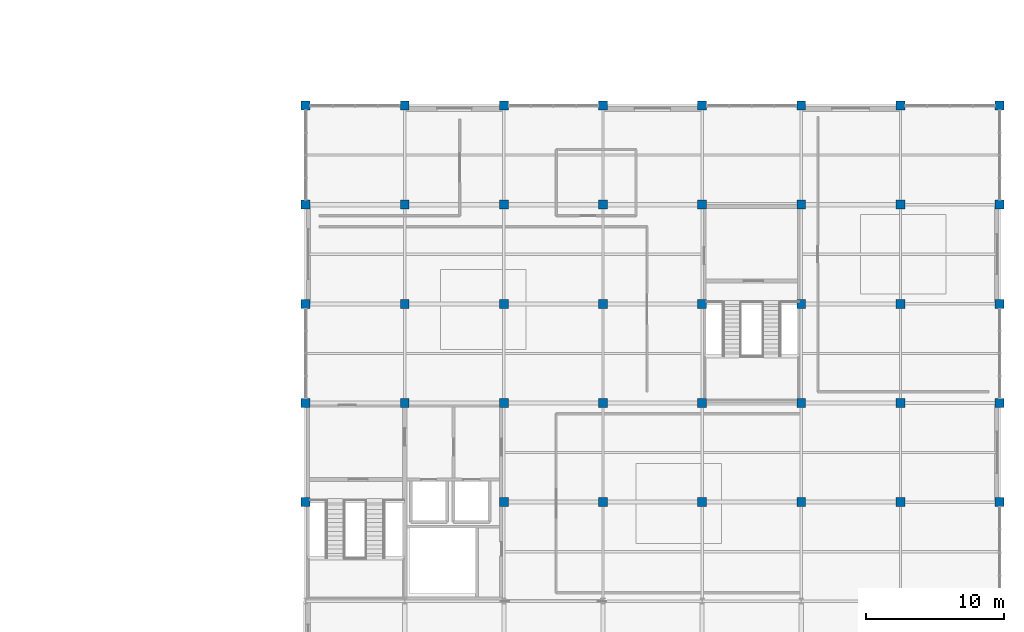
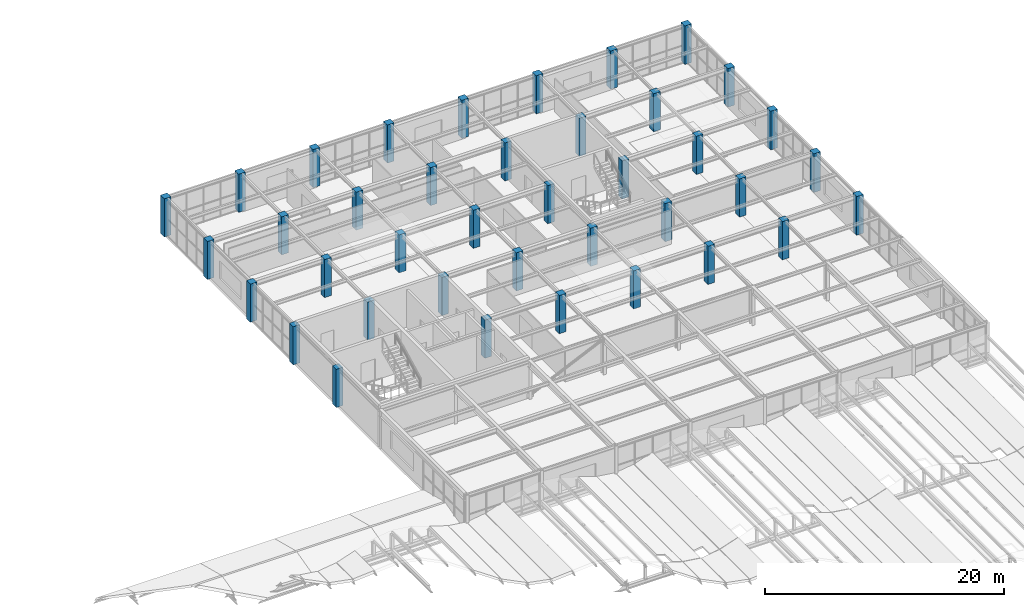
# One storey, part 5 of 83: 39 columns.
"""IFC4 building model written with IfcOpenShell, lengths in metres."""

from ifc_helpers import new_model, si_unit, direction, frame, origin, origin_2d, place, context, subcontext, project, spatial, rectangle, extrude, material, material_profile, profile_set, type_object, element, save


model = new_model("IFC4")

# Units and contexts
model_context = context("Model", 3, precision=1e-05, world=origin(), true_north=direction((0.0, 1.0)))
body_context = subcontext(model_context, "Body", "Model", "MODEL_VIEW")
ifc_project = project(units=[si_unit("LENGTHUNIT", "METRE"), si_unit("AREAUNIT", "SQUARE_METRE"), si_unit("VOLUMEUNIT", "CUBIC_METRE"), si_unit("PLANEANGLEUNIT", "RADIAN"), si_unit("MASSUNIT", "GRAM", prefix="KILO")], contexts=[model_context])

# Site, building, storey
site_placement = place(None, origin())
site = spatial("IfcSite", under=ifc_project, at=site_placement, CompositionType="ELEMENT")
building_placement = place(site_placement, origin())
building = spatial("IfcBuilding", under=site, at=building_placement, Name="Leyfeld Transit Interchange", CompositionType="ELEMENT")
storey_placement = place(building_placement, frame((0.0, 0.0, 5.39990234375)))
storey = spatial("IfcBuildingStorey", under=building, at=storey_placement, Name="L01", CompositionType="ELEMENT", Elevation=5.39990234375)

# Columns
ifc_material = material(Name="Concrete C35/45", Category="concrete")
ifc_material_profile = material_profile(ifc_material, rectangle(XDim=0.64990234375, YDim=0.64990234375, at=origin_2d()), Name="RC 650x650")
ifc_profile_set = profile_set([ifc_material_profile], Name="Concrete C35/45")
column_type = type_object("IfcColumnType", Name="COL-RC-650", PredefinedType="COLUMN", material=ifc_profile_set)
for number, where, z_axis, x_axis, name in (
    (1, (136.800048828125, 64.800048828125, 0.0), (0.0, 0.0, 1.0), (1.0, 0.0, 0.0), "Column COL-L01-1368_0648"),
    (2, (136.800048828125, 72.0, 0.0), (0.0, 0.0, 1.0), (1.0, 0.0, 0.0), "Column COL-L01-1368_0720"),
    (3, (136.800048828125, 79.199951171875, 0.0), (0.0, 0.0, 1.0), (1.0, 0.0, 0.0), "Column COL-L01-1368_0792"),
    (4, (136.800048828125, 86.39990234375, 0.0), (0.0, 0.0, 1.0), (1.0, 0.0, 0.0), "Column COL-L01-1368_0864"),
    (5, (136.800048828125, 93.60009765625, 0.0), (0.0, 0.0, 1.0), (1.0, 0.0, 0.0), "Column COL-L01-1368_0936"),
    (6, (144.0, 72.0, 0.0), (0.0, 0.0, 1.0), (1.0, 0.0, 0.0), "Column COL-L01-1440_0720"),
    (7, (144.0, 79.199951171875, 0.0), (0.0, 0.0, 1.0), (1.0, 0.0, 0.0), "Column COL-L01-1440_0792"),
    (8, (144.0, 86.39990234375, 0.0), (0.0, 0.0, 1.0), (1.0, 0.0, 0.0), "Column COL-L01-1440_0864"),
    (9, (144.0, 93.60009765625, 0.0), (0.0, 0.0, 1.0), (1.0, 0.0, 0.0), "Column COL-L01-1440_0936"),
    (10, (151.199951171875, 64.800048828125, 0.0), (0.0, 0.0, 1.0), (1.0, 0.0, 0.0), "Column COL-L01-1512_0648"),
    (11, (151.199951171875, 72.0, 0.0), (0.0, 0.0, 1.0), (1.0, 0.0, 0.0), "Column COL-L01-1512_0720"),
    (12, (151.199951171875, 79.199951171875, 0.0), (0.0, 0.0, 1.0), (1.0, 0.0, 0.0), "Column COL-L01-1512_0792"),
    (13, (151.199951171875, 86.39990234375, 0.0), (0.0, 0.0, 1.0), (1.0, 0.0, 0.0), "Column COL-L01-1512_0864"),
    (14, (151.199951171875, 93.60009765625, 0.0), (0.0, 0.0, 1.0), (1.0, 0.0, 0.0), "Column COL-L01-1512_0936"),
    (15, (158.39990234375, 64.800048828125, 0.0), (0.0, 0.0, 1.0), (1.0, 0.0, 0.0), "Column COL-L01-1584_0648"),
    (16, (158.39990234375, 72.0, 0.0), (0.0, 0.0, 1.0), (1.0, 0.0, 0.0), "Column COL-L01-1584_0720"),
    (17, (158.39990234375, 79.199951171875, 0.0), (0.0, 0.0, 1.0), (1.0, 0.0, 0.0), "Column COL-L01-1584_0792"),
    (18, (158.39990234375, 86.39990234375, 0.0), (0.0, 0.0, 1.0), (1.0, 0.0, 0.0), "Column COL-L01-1584_0864"),
    (19, (158.39990234375, 93.60009765625, 0.0), (0.0, 0.0, 1.0), (1.0, 0.0, 0.0), "Column COL-L01-1584_0936"),
    (20, (165.60009765625, 64.800048828125, 0.0), (0.0, 0.0, 1.0), (1.0, 0.0, 0.0), "Column COL-L01-1656_0648"),
    (21, (165.60009765625, 72.0, 0.0), (0.0, 0.0, 1.0), (1.0, 0.0, 0.0), "Column COL-L01-1656_0720"),
    (22, (165.60009765625, 79.199951171875, 0.0), (0.0, 0.0, 1.0), (1.0, 0.0, 0.0), "Column COL-L01-1656_0792"),
    (23, (165.60009765625, 86.39990234375, 0.0), (0.0, 0.0, 1.0), (1.0, 0.0, 0.0), "Column COL-L01-1656_0864"),
    (24, (165.60009765625, 93.60009765625, 0.0), (0.0, 0.0, 1.0), (1.0, 0.0, 0.0), "Column COL-L01-1656_0936"),
    (25, (172.800048828125, 64.800048828125, 0.0), (0.0, 0.0, 1.0), (1.0, 0.0, 0.0), "Column COL-L01-1728_0648"),
    (26, (172.800048828125, 72.0, 0.0), (0.0, 0.0, 1.0), (1.0, 0.0, 0.0), "Column COL-L01-1728_0720"),
    (27, (172.800048828125, 79.199951171875, 0.0), (0.0, 0.0, 1.0), (1.0, 0.0, 0.0), "Column COL-L01-1728_0792"),
    (28, (172.800048828125, 86.39990234375, 0.0), (0.0, 0.0, 1.0), (1.0, 0.0, 0.0), "Column COL-L01-1728_0864"),
    (29, (172.800048828125, 93.60009765625, 0.0), (0.0, 0.0, 1.0), (1.0, 0.0, 0.0), "Column COL-L01-1728_0936"),
    (30, (180.0, 64.800048828125, 0.0), (0.0, 0.0, 1.0), (1.0, 0.0, 0.0), "Column COL-L01-1800_0648"),
    (31, (180.0, 72.0, 0.0), (0.0, 0.0, 1.0), (1.0, 0.0, 0.0), "Column COL-L01-1800_0720"),
    (32, (180.0, 79.199951171875, 0.0), (0.0, 0.0, 1.0), (1.0, 0.0, 0.0), "Column COL-L01-1800_0792"),
    (33, (180.0, 86.39990234375, 0.0), (0.0, 0.0, 1.0), (1.0, 0.0, 0.0), "Column COL-L01-1800_0864"),
    (34, (180.0, 93.60009765625, 0.0), (0.0, 0.0, 1.0), (1.0, 0.0, 0.0), "Column COL-L01-1800_0936"),
):
    element("IfcColumn", number, at=place(storey_placement, frame(where, z_axis=z_axis, x_axis=x_axis)), inside=storey, type_object=column_type, Name=name, PredefinedType="COLUMN", context=body_context, shape_type="SweptSolid", body=[
        extrude(rectangle(XDim=0.64990234375, YDim=0.64990234375, at=origin_2d()), origin(), (0.0, 0.0, 1.0), 3.900146484375),
    ])
for number, where, z_axis, x_axis, name in (
    (35, (187.199951171875, 64.800048828125, 0.0), (0.0, 0.0, 1.0), (1.0, 0.0, 0.0), "Column COL-L01-1872_0648"),
    (36, (187.199951171875, 72.0, 0.0), (0.0, 0.0, 1.0), (1.0, 0.0, 0.0), "Column COL-L01-1872_0720"),
    (37, (187.199951171875, 79.199951171875, 0.0), (0.0, 0.0, 1.0), (1.0, 0.0, 0.0), "Column COL-L01-1872_0792"),
    (38, (187.199951171875, 86.39990234375, 0.0), (0.0, 0.0, 1.0), (1.0, 0.0, 0.0), "Column COL-L01-1872_0864"),
    (39, (187.199951171875, 93.60009765625, 0.0), (0.0, 0.0, 1.0), (1.0, 0.0, 0.0), "Column COL-L01-1872_0936"),
):
    element("IfcColumn", number, at=place(storey_placement, frame(where, z_axis=z_axis, x_axis=x_axis)), inside=storey, type_object=column_type, Name=name, PredefinedType="COLUMN", context=body_context, shape_type="SweptSolid", body=[
        extrude(rectangle(XDim=0.64990234375, YDim=0.64990234375, at=origin_2d()), origin(), (0.0, 0.0, 1.0), 3.9501953125),
    ])

save(model, "model.ifc")
